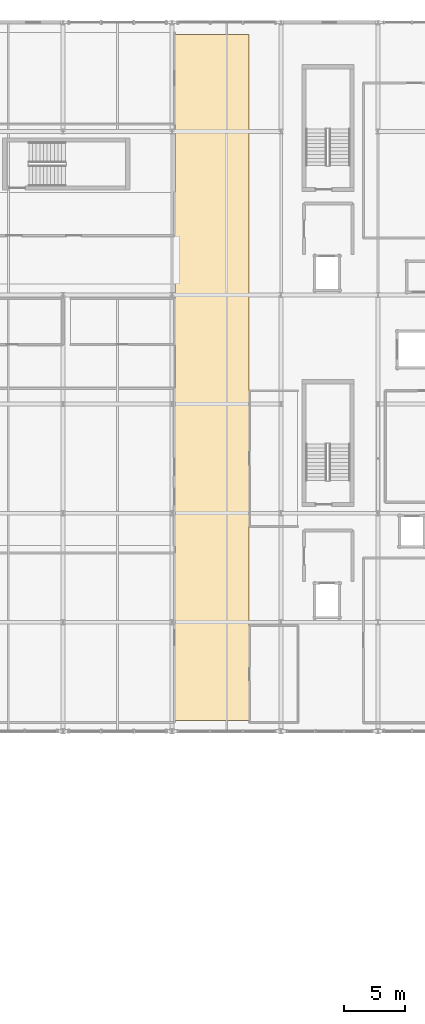
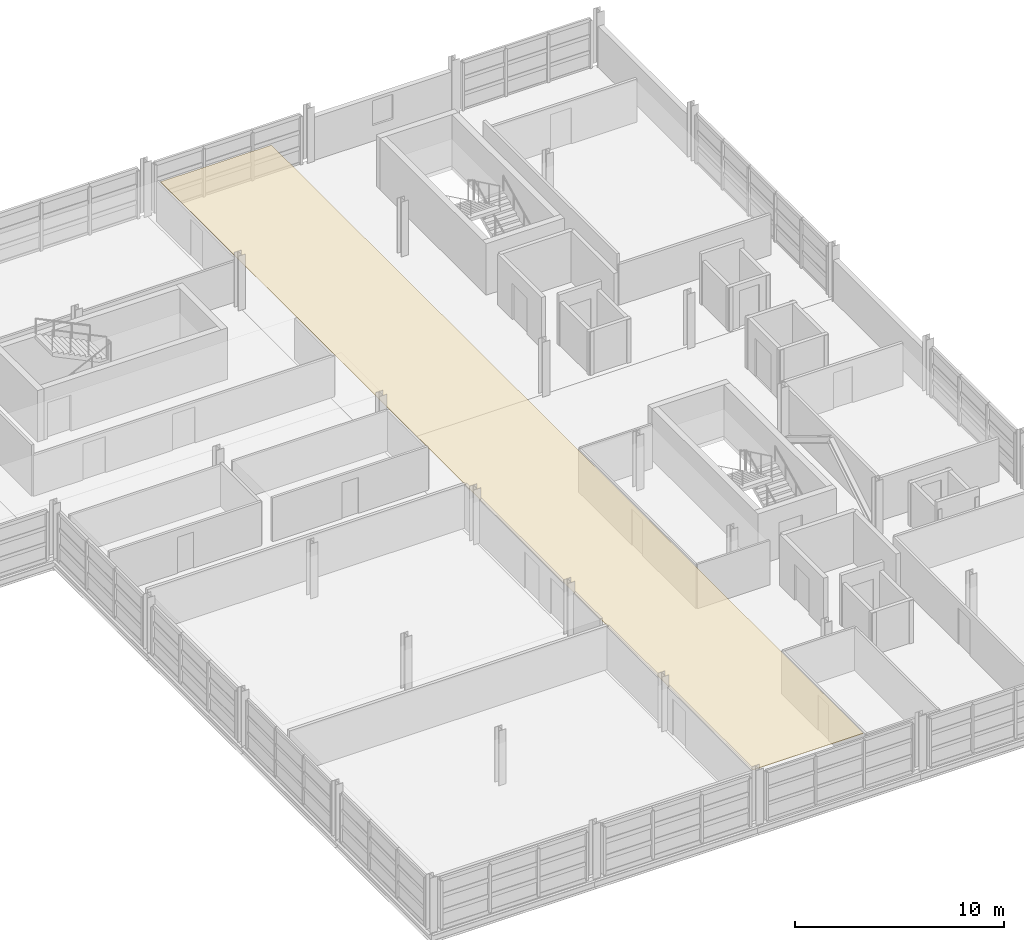
# One storey, part 85 of 86: 1 covering.
"""IFC4 building model written with IfcOpenShell, lengths in metres."""

import ifcopenshell
import ifcopenshell.guid

model = None  # the IFC model being written
_history = None  # IfcOwnerHistory: only IFC2X3 demands one
_inside = {}  # id of a spatial element -> (the spatial element, [elements in it])
_under = {}  # id of a project, library or spatial element -> (it, [spatial elements below it])
_declared = {}  # id of a project -> (the project, [libraries it declares])
_typed = {}  # id of a type object -> (the type object, [elements of that type])
_made_of = {}  # id of a material, layer set ... -> (it, [elements and type objects made of it])


def new_model(schema):
    """Start an empty IFC model of exactly this schema.

    Asked for "IFC4X3", IfcOpenShell would pick the latest addendum, in which some entities
    have other attributes; the version numbers below select the first issue.
    IFC2X3 requires an IfcOwnerHistory on every rooted entity: one is made here for all.
    """
    global model, _history
    if schema == "IFC4X3":
        model = ifcopenshell.file(schema_version=(4, 3, 0, 0))
    else:
        model = ifcopenshell.file(schema=schema)
    _inside.clear()
    _under.clear()
    _declared.clear()
    _typed.clear()
    _made_of.clear()
    _history = None
    if model.schema == "IFC2X3":
        org = make("IfcOrganization", Name="unknown")
        user = make(
            "IfcPersonAndOrganization",
            ThePerson=make("IfcPerson", FamilyName="unknown"),
            TheOrganization=org,
        )
        app = make(
            "IfcApplication",
            ApplicationDeveloper=org,
            Version="unknown",
            ApplicationFullName="unknown",
            ApplicationIdentifier="unknown",
        )
        _history = make(
            "IfcOwnerHistory",
            OwningUser=user,
            OwningApplication=app,
            ChangeAction="ADDED",
            CreationDate=0,
        )
    return model


def make(cls, **values):
    """One entity of the class cls with the attributes given. An attribute that is None is left unset."""
    return model.create_entity(
        cls, **{name: value for name, value in values.items() if value is not None}
    )


def rooted(cls, **values):
    """An entity with a GlobalId (a new one), such as an element, a storey or a relation."""
    return make(cls, GlobalId=ifcopenshell.guid.new(), OwnerHistory=_history, **values)


def si_unit(unit_type, name, prefix=None):
    """IfcSIUnit, for example si_unit("LENGTHUNIT", "METRE", prefix="MILLI")."""
    return make("IfcSIUnit", UnitType=unit_type, Prefix=prefix, Name=name)


def assignment(units):
    """IfcUnitAssignment: the units of a project."""
    return None if units is None else make("IfcUnitAssignment", Units=units)


def point(xyz):
    """IfcCartesianPoint."""
    return None if xyz is None else make("IfcCartesianPoint", Coordinates=xyz)


def direction(xyz):
    """IfcDirection."""
    return None if xyz is None else make("IfcDirection", DirectionRatios=xyz)


def frame(location, z_axis=None, x_axis=None):
    """IfcAxis2Placement3D, a coordinate frame: its origin and axes. An axis left out is left unset."""
    return make(
        "IfcAxis2Placement3D",
        Location=point(location),
        Axis=direction(z_axis),
        RefDirection=direction(x_axis),
    )


def origin():
    """The frame at (0, 0, 0) with its axes left unset."""
    return frame((0.0, 0.0, 0.0))


def place(relative_to, where):
    """IfcLocalPlacement: puts the frame where relative to a parent placement (None: the world)."""
    return make(
        "IfcLocalPlacement", PlacementRelTo=relative_to, RelativePlacement=where
    )


def context(
    kind, dimensions, precision=None, world=None, true_north=None, identifier=None
):
    """IfcGeometricRepresentationContext, for example the 3D "Model" context."""
    return make(
        "IfcGeometricRepresentationContext",
        ContextIdentifier=identifier,
        ContextType=kind,
        CoordinateSpaceDimension=dimensions,
        Precision=precision,
        WorldCoordinateSystem=world,
        TrueNorth=true_north,
    )


def subcontext(parent, identifier, kind, view, scale=None):
    """IfcGeometricRepresentationSubContext, for example "Body" below "Model"."""
    return make(
        "IfcGeometricRepresentationSubContext",
        ContextIdentifier=identifier,
        ContextType=kind,
        ParentContext=parent,
        TargetScale=scale,
        TargetView=view,
    )


def project(units=None, contexts=None):
    """IfcProject with its units and contexts."""
    return rooted(
        "IfcProject",
        Name="project",
        RepresentationContexts=contexts,
        UnitsInContext=assignment(units),
    )


def spatial(cls, under=None, at=None, **own):
    """A site, building, storey or space (cls), placed at a placement, below another one or the project."""
    s = rooted(cls, ObjectPlacement=at, **own)
    if under is not None:
        _under.setdefault(under.id(), (under, []))[1].append(s)
    return s


def polyline(points):
    """IfcPolyline through the points."""
    return make("IfcPolyline", Points=[point(p) for p in points])


def outline(outer, holes=None, kind="AREA"):
    """IfcArbitraryClosedProfileDef: a profile drawn as a closed curve; with holes, ...WithVoids."""
    if holes is None:
        return make("IfcArbitraryClosedProfileDef", ProfileType=kind, OuterCurve=outer)
    return make(
        "IfcArbitraryProfileDefWithVoids",
        ProfileType=kind,
        OuterCurve=outer,
        InnerCurves=holes,
    )


def extrude(swept, where, along, depth):
    """IfcExtrudedAreaSolid: the profile swept, set in the frame where, extruded along a direction by depth."""
    return make(
        "IfcExtrudedAreaSolid",
        SweptArea=swept,
        Position=where,
        ExtrudedDirection=direction(along),
        Depth=depth,
    )


def shape(context_of_items, identifier, shape_type, items):
    """IfcShapeRepresentation: the items that make up one representation, for example the "Body"."""
    return make(
        "IfcShapeRepresentation",
        ContextOfItems=context_of_items,
        RepresentationIdentifier=identifier,
        RepresentationType=shape_type,
        Items=items,
    )


def material(Name=None, Category=None):
    """IfcMaterial."""
    return make("IfcMaterial", Name=Name, Category=Category)


def layer(
    of_material, thickness, ventilated=None, Name=None, Category=None, Priority=None
):
    """IfcMaterialLayer: one layer of a wall or slab, of a material (None: an air gap)."""
    return make(
        "IfcMaterialLayer",
        Material=of_material,
        LayerThickness=thickness,
        IsVentilated=ventilated,
        Name=Name,
        Category=Category,
        Priority=Priority,
    )


def layer_set(layers, Name=None):
    """IfcMaterialLayerSet."""
    return make("IfcMaterialLayerSet", MaterialLayers=layers, LayerSetName=Name)


def made_of(thing, what):
    """Note that an element or type object is made of a material, layer set ...; save() writes the relation."""
    if what is not None:
        _made_of.setdefault(what.id(), (what, []))[1].append(thing)
    return thing


def type_object(cls, material=None, **own):
    """A type object (cls), such as IfcWallType, which elements share."""
    return made_of(rooted(cls, **own), material)


def element(
    cls,
    number,
    at=None,
    inside=None,
    cuts=None,
    type_object=None,
    material=None,
    context=None,
    identifier="Body",
    shape_type=None,
    held_by="IfcProductDefinitionShape",
    body=None,
    shapes=None,
    **own,
):
    """One element of the class cls, such as IfcWall. Its Tag is "e" and its number.

    at: its placement. inside: the storey or other place that contains it. cuts: it is an
    opening in that element (IfcRelVoidsElement). A single representation is given by context,
    identifier, shape_type and body (its items); several are given by shapes. held_by: the class
    of the entity that holds the representations. save() writes the other relations.
    """
    e = rooted(cls, Tag="e%d" % number, ObjectPlacement=at, **own)
    if body is not None:
        shapes = [shape(context, identifier, shape_type, body)]
    if shapes is not None:
        e.Representation = make(held_by, Representations=shapes)
    if inside is not None:
        _inside.setdefault(inside.id(), (inside, []))[1].append(e)
    if cuts is not None:
        rooted(
            "IfcRelVoidsElement", RelatingBuildingElement=cuts, RelatedOpeningElement=e
        )
    if type_object is not None:
        _typed.setdefault(type_object.id(), (type_object, []))[1].append(e)
    return made_of(e, material)


def aggregate(whole, parts):
    """IfcRelAggregates: a whole, such as a stair, and the parts it consists of."""
    return rooted("IfcRelAggregates", RelatingObject=whole, RelatedObjects=parts)


def save(model, path):
    """Write the relations noted so far, then the file.

    IfcRelAggregates (storeys below a building ...), IfcRelContainedInSpatialStructure (elements
    in a storey), IfcRelDefinesByType, IfcRelAssociatesMaterial and IfcRelDeclares: one each for
    every whole, place, type object, material and project.
    """
    for whole, parts in _under.values():
        aggregate(whole, parts)
    for where, things in _inside.values():
        rooted(
            "IfcRelContainedInSpatialStructure",
            RelatedElements=things,
            RelatingStructure=where,
        )
    for kind, things in _typed.values():
        rooted("IfcRelDefinesByType", RelatedObjects=things, RelatingType=kind)
    for what, things in _made_of.values():
        rooted("IfcRelAssociatesMaterial", RelatedObjects=things, RelatingMaterial=what)
    for by, libraries in _declared.values():
        rooted("IfcRelDeclares", RelatingContext=by, RelatedDefinitions=libraries)
    model.write(path)


model = new_model("IFC4")

# Units and contexts
model_context = context("Model", 3, precision=1e-05, world=origin(), true_north=direction((0.0, 1.0)))
body_context = subcontext(model_context, "Body", "Model", "MODEL_VIEW")
ifc_project = project(units=[si_unit("LENGTHUNIT", "METRE"), si_unit("AREAUNIT", "SQUARE_METRE"), si_unit("VOLUMEUNIT", "CUBIC_METRE"), si_unit("PLANEANGLEUNIT", "RADIAN"), si_unit("MASSUNIT", "GRAM", prefix="KILO")], contexts=[model_context])

# Site, building, storey
site_placement = place(None, origin())
site = spatial("IfcSite", under=ifc_project, at=site_placement, CompositionType="ELEMENT")
building_placement = place(site_placement, origin())
building = spatial("IfcBuilding", under=site, at=building_placement, Name="Chuanluo Vaults Station", CompositionType="ELEMENT")
storey_placement = place(building_placement, frame((0.0, 0.0, 14.39990234375)))
storey = spatial("IfcBuildingStorey", under=building, at=storey_placement, Name="L03", CompositionType="ELEMENT", Elevation=14.39990234375)

# Covering
ifc_material = material(Name="Acoustic mineral-fibre tile")
ifc_layer = layer(ifc_material, 0.02490234375)
ifc_layer_set = layer_set([ifc_layer], Name="Acoustic mineral-fibre tile")
covering_type = type_object("IfcCoveringType", Name="COV-CEIL-TILE", PredefinedType="CEILING", material=ifc_layer_set)
covering_placement = place(storey_placement, frame((0.0, 0.0, 2.400146484375)))
element("IfcCovering", 1, at=covering_placement, inside=storey, type_object=covering_type, Name="L03-07 suspended acoustic ceiling", PredefinedType="CEILING", context=body_context, shape_type="SweptSolid", body=[
    extrude(outline(polyline([(163.239990234375, 68.39990234375), (169.360107421875, 68.39990234375), (169.360107421875, 125.0), (163.239990234375, 125.0), (163.239990234375, 68.39990234375)])), origin(), (0.0, 0.0, 1.0), 0.02490234375),
])

save(model, "model.ifc")
